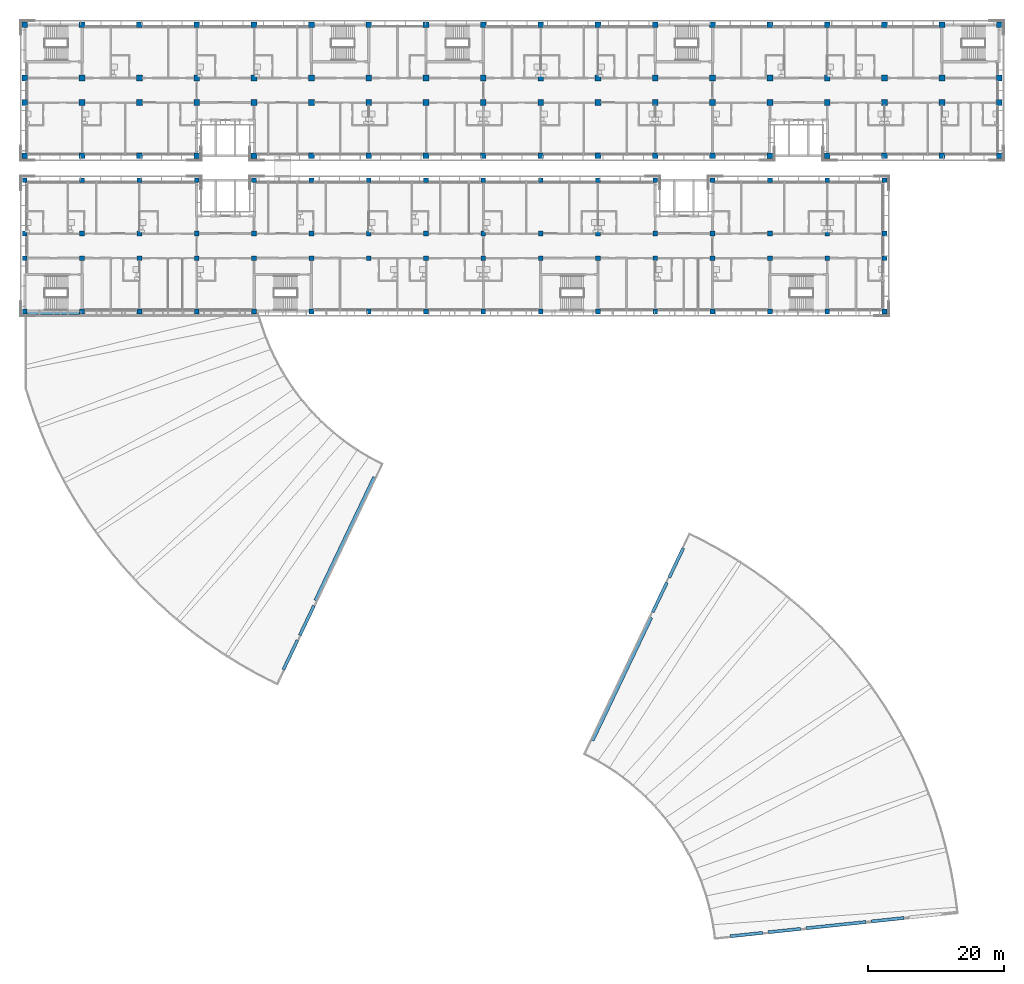
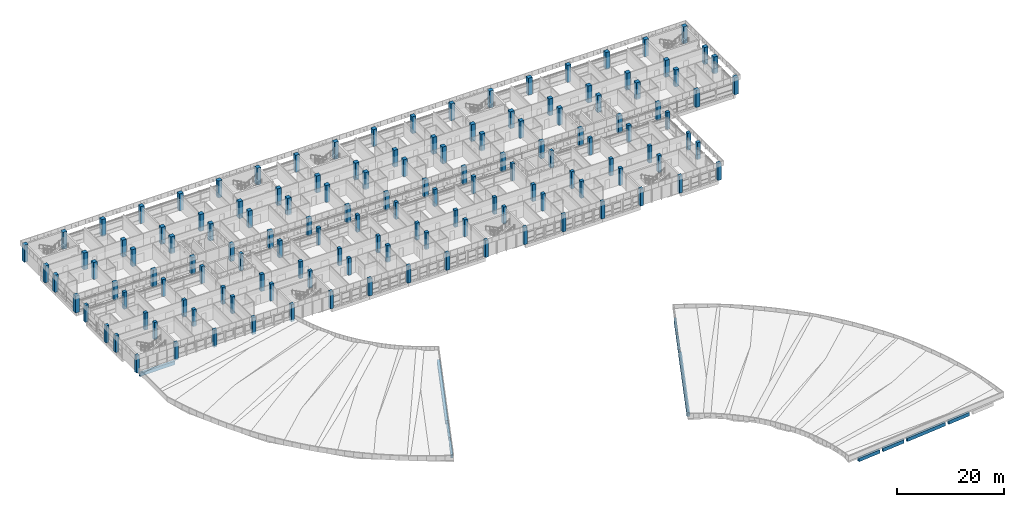
# One storey, part 1 of 74: 136 columns, 11 beams.
"""IFC4 building model written with IfcOpenShell, lengths in metres."""

from ifc_helpers import new_model, si_unit, direction, frame, origin, origin_2d, place, context, subcontext, project, spatial, rectangle, extrude, material, material_profile, profile_set, type_object, element, save


model = new_model("IFC4")

# Units and contexts
model_context = context("Model", 3, precision=1e-05, world=origin(), true_north=direction((0.0, 1.0)))
body_context = subcontext(model_context, "Body", "Model", "MODEL_VIEW")
ifc_project = project(units=[si_unit("LENGTHUNIT", "METRE"), si_unit("AREAUNIT", "SQUARE_METRE"), si_unit("VOLUMEUNIT", "CUBIC_METRE"), si_unit("PLANEANGLEUNIT", "RADIAN"), si_unit("MASSUNIT", "GRAM", prefix="KILO")], contexts=[model_context])

# Site, building, storey
site_placement = place(None, origin())
site = spatial("IfcSite", under=ifc_project, at=site_placement, CompositionType="ELEMENT")
building_placement = place(site_placement, origin())
building = spatial("IfcBuilding", under=site, at=building_placement, Name="Bougainvillea Quay General Hospital", CompositionType="ELEMENT")
storey_placement = place(building_placement, frame((0.0, 0.0, 21.0)))
storey = spatial("IfcBuildingStorey", under=building, at=storey_placement, Name="L04", CompositionType="ELEMENT", Elevation=21.0)

# Columns
ifc_material = material(Name="Concrete C40", Category="concrete")
ifc_material_profile_1 = material_profile(ifc_material, rectangle(XDim=0.699951171875, YDim=0.699951171875, at=origin_2d()))
ifc_profile_set_1 = profile_set([ifc_material_profile_1], Name="Concrete C40")
column_type_1 = type_object("IfcColumnType", Name="RC COL 700x700 C40", PredefinedType="COLUMN", material=ifc_profile_set_1)
for number, where, z_axis, x_axis, name in (
    (1, (42.0, 117.60009765625, 0.0), (0.0, 0.0, 1.0), (1.0, 0.0, 0.0), "Column C-V4-000 L04"),
    (2, (42.0, 125.39990234375, 0.0), (0.0, 0.0, 1.0), (1.0, 0.0, 0.0), "Column C-V4-001 L04"),
    (3, (42.0, 129.0, 0.0), (0.0, 0.0, 1.0), (1.0, 0.0, 0.0), "Column C-V4-002 L04"),
    (4, (42.0, 136.800048828125, 0.0), (0.0, 0.0, 1.0), (1.0, 0.0, 0.0), "Column C-V4-003 L04"),
    (5, (50.39990234375, 117.60009765625, 0.0), (0.0, 0.0, 1.0), (1.0, 0.0, 0.0), "Column C-V4-010 L04"),
    (6, (50.39990234375, 125.39990234375, 0.0), (0.0, 0.0, 1.0), (1.0, 0.0, 0.0), "Column C-V4-011 L04"),
    (7, (50.39990234375, 129.0, 0.0), (0.0, 0.0, 1.0), (1.0, 0.0, 0.0), "Column C-V4-012 L04"),
    (8, (50.39990234375, 136.800048828125, 0.0), (0.0, 0.0, 1.0), (1.0, 0.0, 0.0), "Column C-V4-013 L04"),
    (9, (58.800048828125, 117.60009765625, 0.0), (0.0, 0.0, 1.0), (1.0, 0.0, 0.0), "Column C-V4-020 L04"),
    (10, (58.800048828125, 125.39990234375, 0.0), (0.0, 0.0, 1.0), (1.0, 0.0, 0.0), "Column C-V4-021 L04"),
    (11, (58.800048828125, 129.0, 0.0), (0.0, 0.0, 1.0), (1.0, 0.0, 0.0), "Column C-V4-022 L04"),
    (12, (58.800048828125, 136.800048828125, 0.0), (0.0, 0.0, 1.0), (1.0, 0.0, 0.0), "Column C-V4-023 L04"),
    (13, (67.199951171875, 117.60009765625, 0.0), (0.0, 0.0, 1.0), (1.0, 0.0, 0.0), "Column C-V4-030 L04"),
    (14, (67.199951171875, 125.39990234375, 0.0), (0.0, 0.0, 1.0), (1.0, 0.0, 0.0), "Column C-V4-031 L04"),
    (15, (67.199951171875, 129.0, 0.0), (0.0, 0.0, 1.0), (1.0, 0.0, 0.0), "Column C-V4-032 L04"),
    (16, (67.199951171875, 136.800048828125, 0.0), (0.0, 0.0, 1.0), (1.0, 0.0, 0.0), "Column C-V4-033 L04"),
    (17, (75.60009765625, 117.60009765625, 0.0), (0.0, 0.0, 1.0), (1.0, 0.0, 0.0), "Column C-V4-040 L04"),
    (18, (75.60009765625, 125.39990234375, 0.0), (0.0, 0.0, 1.0), (1.0, 0.0, 0.0), "Column C-V4-041 L04"),
    (19, (75.60009765625, 129.0, 0.0), (0.0, 0.0, 1.0), (1.0, 0.0, 0.0), "Column C-V4-042 L04"),
    (20, (75.60009765625, 136.800048828125, 0.0), (0.0, 0.0, 1.0), (1.0, 0.0, 0.0), "Column C-V4-043 L04"),
    (21, (84.0, 117.60009765625, 0.0), (0.0, 0.0, 1.0), (1.0, 0.0, 0.0), "Column C-V4-050 L04"),
    (22, (84.0, 125.39990234375, 0.0), (0.0, 0.0, 1.0), (1.0, 0.0, 0.0), "Column C-V4-051 L04"),
    (23, (84.0, 129.0, 0.0), (0.0, 0.0, 1.0), (1.0, 0.0, 0.0), "Column C-V4-052 L04"),
    (24, (84.0, 136.800048828125, 0.0), (0.0, 0.0, 1.0), (1.0, 0.0, 0.0), "Column C-V4-053 L04"),
    (25, (92.39990234375, 117.60009765625, 0.0), (0.0, 0.0, 1.0), (1.0, 0.0, 0.0), "Column C-V4-060 L04"),
    (26, (92.39990234375, 125.39990234375, 0.0), (0.0, 0.0, 1.0), (1.0, 0.0, 0.0), "Column C-V4-061 L04"),
    (27, (92.39990234375, 129.0, 0.0), (0.0, 0.0, 1.0), (1.0, 0.0, 0.0), "Column C-V4-062 L04"),
    (28, (92.39990234375, 136.800048828125, 0.0), (0.0, 0.0, 1.0), (1.0, 0.0, 0.0), "Column C-V4-063 L04"),
    (29, (100.800048828125, 117.60009765625, 0.0), (0.0, 0.0, 1.0), (1.0, 0.0, 0.0), "Column C-V4-070 L04"),
    (30, (100.800048828125, 125.39990234375, 0.0), (0.0, 0.0, 1.0), (1.0, 0.0, 0.0), "Column C-V4-071 L04"),
    (31, (100.800048828125, 129.0, 0.0), (0.0, 0.0, 1.0), (1.0, 0.0, 0.0), "Column C-V4-072 L04"),
    (32, (100.800048828125, 136.800048828125, 0.0), (0.0, 0.0, 1.0), (1.0, 0.0, 0.0), "Column C-V4-073 L04"),
    (33, (109.199951171875, 117.60009765625, 0.0), (0.0, 0.0, 1.0), (1.0, 0.0, 0.0), "Column C-V4-080 L04"),
    (34, (109.199951171875, 125.39990234375, 0.0), (0.0, 0.0, 1.0), (1.0, 0.0, 0.0), "Column C-V4-081 L04"),
    (35, (109.199951171875, 129.0, 0.0), (0.0, 0.0, 1.0), (1.0, 0.0, 0.0), "Column C-V4-082 L04"),
    (36, (109.199951171875, 136.800048828125, 0.0), (0.0, 0.0, 1.0), (1.0, 0.0, 0.0), "Column C-V4-083 L04"),
    (37, (117.60009765625, 117.60009765625, 0.0), (0.0, 0.0, 1.0), (1.0, 0.0, 0.0), "Column C-V4-090 L04"),
    (38, (117.60009765625, 125.39990234375, 0.0), (0.0, 0.0, 1.0), (1.0, 0.0, 0.0), "Column C-V4-091 L04"),
    (39, (117.60009765625, 129.0, 0.0), (0.0, 0.0, 1.0), (1.0, 0.0, 0.0), "Column C-V4-092 L04"),
    (40, (117.60009765625, 136.800048828125, 0.0), (0.0, 0.0, 1.0), (1.0, 0.0, 0.0), "Column C-V4-093 L04"),
    (41, (126.0, 117.60009765625, 0.0), (0.0, 0.0, 1.0), (1.0, 0.0, 0.0), "Column C-V4-100 L04"),
    (42, (126.0, 125.39990234375, 0.0), (0.0, 0.0, 1.0), (1.0, 0.0, 0.0), "Column C-V4-101 L04"),
    (43, (126.0, 129.0, 0.0), (0.0, 0.0, 1.0), (1.0, 0.0, 0.0), "Column C-V4-102 L04"),
    (44, (126.0, 136.800048828125, 0.0), (0.0, 0.0, 1.0), (1.0, 0.0, 0.0), "Column C-V4-103 L04"),
    (45, (134.39990234375, 117.60009765625, 0.0), (0.0, 0.0, 1.0), (1.0, 0.0, 0.0), "Column C-V4-110 L04"),
    (46, (134.39990234375, 125.39990234375, 0.0), (0.0, 0.0, 1.0), (1.0, 0.0, 0.0), "Column C-V4-111 L04"),
    (47, (134.39990234375, 129.0, 0.0), (0.0, 0.0, 1.0), (1.0, 0.0, 0.0), "Column C-V4-112 L04"),
    (48, (134.39990234375, 136.800048828125, 0.0), (0.0, 0.0, 1.0), (1.0, 0.0, 0.0), "Column C-V4-113 L04"),
    (49, (142.800048828125, 117.60009765625, 0.0), (0.0, 0.0, 1.0), (1.0, 0.0, 0.0), "Column C-V4-120 L04"),
    (50, (142.800048828125, 125.39990234375, 0.0), (0.0, 0.0, 1.0), (1.0, 0.0, 0.0), "Column C-V4-121 L04"),
    (51, (142.800048828125, 129.0, 0.0), (0.0, 0.0, 1.0), (1.0, 0.0, 0.0), "Column C-V4-122 L04"),
    (52, (142.800048828125, 136.800048828125, 0.0), (0.0, 0.0, 1.0), (1.0, 0.0, 0.0), "Column C-V4-123 L04"),
    (53, (151.199951171875, 117.60009765625, 0.0), (0.0, 0.0, 1.0), (1.0, 0.0, 0.0), "Column C-V4-130 L04"),
    (54, (151.199951171875, 125.39990234375, 0.0), (0.0, 0.0, 1.0), (1.0, 0.0, 0.0), "Column C-V4-131 L04"),
    (55, (151.199951171875, 129.0, 0.0), (0.0, 0.0, 1.0), (1.0, 0.0, 0.0), "Column C-V4-132 L04"),
    (56, (151.199951171875, 136.800048828125, 0.0), (0.0, 0.0, 1.0), (1.0, 0.0, 0.0), "Column C-V4-133 L04"),
    (57, (159.60009765625, 117.60009765625, 0.0), (0.0, 0.0, 1.0), (1.0, 0.0, 0.0), "Column C-V4-140 L04"),
    (58, (159.60009765625, 125.39990234375, 0.0), (0.0, 0.0, 1.0), (1.0, 0.0, 0.0), "Column C-V4-141 L04"),
    (59, (159.60009765625, 129.0, 0.0), (0.0, 0.0, 1.0), (1.0, 0.0, 0.0), "Column C-V4-142 L04"),
    (60, (159.60009765625, 136.800048828125, 0.0), (0.0, 0.0, 1.0), (1.0, 0.0, 0.0), "Column C-V4-143 L04"),
    (61, (168.0, 117.60009765625, 0.0), (0.0, 0.0, 1.0), (1.0, 0.0, 0.0), "Column C-V4-150 L04"),
    (62, (168.0, 125.39990234375, 0.0), (0.0, 0.0, 1.0), (1.0, 0.0, 0.0), "Column C-V4-151 L04"),
    (63, (168.0, 129.0, 0.0), (0.0, 0.0, 1.0), (1.0, 0.0, 0.0), "Column C-V4-152 L04"),
    (64, (168.0, 136.800048828125, 0.0), (0.0, 0.0, 1.0), (1.0, 0.0, 0.0), "Column C-V4-153 L04"),
):
    element("IfcColumn", number, at=place(storey_placement, frame(where, z_axis=z_axis, x_axis=x_axis)), inside=storey, type_object=column_type_1, Name=name, PredefinedType="COLUMN", context=body_context, shape_type="SweptSolid", body=[
        extrude(rectangle(XDim=0.699951171875, YDim=0.699951171875, at=origin_2d()), origin(), (0.0, 0.0, 1.0), 3.89990234375),
    ])
ifc_material_profile_2 = material_profile(ifc_material, rectangle(XDim=0.85009765625, YDim=0.85009765625, at=origin_2d()))
ifc_profile_set_2 = profile_set([ifc_material_profile_2], Name="Concrete C40")
column_type_2 = type_object("IfcColumnType", Name="RC COL 850x850 C40", PredefinedType="COLUMN", material=ifc_profile_set_2)
for number, where, z_axis, x_axis, name in (
    (65, (42.0, 140.39990234375, 0.0), (0.0, 0.0, 1.0), (1.0, 0.0, 0.0), "Column C-V4-004 L04"),
    (66, (42.0, 148.199951171875, 0.0), (0.0, 0.0, 1.0), (1.0, 0.0, 0.0), "Column C-V4-005 L04"),
    (67, (42.0, 151.800048828125, 0.0), (0.0, 0.0, 1.0), (1.0, 0.0, 0.0), "Column C-V4-006 L04"),
    (68, (42.0, 159.60009765625, 0.0), (0.0, 0.0, 1.0), (1.0, 0.0, 0.0), "Column C-V4-007 L04"),
    (69, (50.39990234375, 140.39990234375, 0.0), (0.0, 0.0, 1.0), (1.0, 0.0, 0.0), "Column C-V4-014 L04"),
    (70, (50.39990234375, 148.199951171875, 0.0), (0.0, 0.0, 1.0), (1.0, 0.0, 0.0), "Column C-V4-015 L04"),
    (71, (50.39990234375, 151.800048828125, 0.0), (0.0, 0.0, 1.0), (1.0, 0.0, 0.0), "Column C-V4-016 L04"),
    (72, (50.39990234375, 159.60009765625, 0.0), (0.0, 0.0, 1.0), (1.0, 0.0, 0.0), "Column C-V4-017 L04"),
    (73, (58.800048828125, 140.39990234375, 0.0), (0.0, 0.0, 1.0), (1.0, 0.0, 0.0), "Column C-V4-024 L04"),
    (74, (58.800048828125, 148.199951171875, 0.0), (0.0, 0.0, 1.0), (1.0, 0.0, 0.0), "Column C-V4-025 L04"),
    (75, (58.800048828125, 151.800048828125, 0.0), (0.0, 0.0, 1.0), (1.0, 0.0, 0.0), "Column C-V4-026 L04"),
    (76, (58.800048828125, 159.60009765625, 0.0), (0.0, 0.0, 1.0), (1.0, 0.0, 0.0), "Column C-V4-027 L04"),
    (77, (67.199951171875, 140.39990234375, 0.0), (0.0, 0.0, 1.0), (1.0, 0.0, 0.0), "Column C-V4-034 L04"),
    (78, (67.199951171875, 148.199951171875, 0.0), (0.0, 0.0, 1.0), (1.0, 0.0, 0.0), "Column C-V4-035 L04"),
    (79, (67.199951171875, 151.800048828125, 0.0), (0.0, 0.0, 1.0), (1.0, 0.0, 0.0), "Column C-V4-036 L04"),
    (80, (67.199951171875, 159.60009765625, 0.0), (0.0, 0.0, 1.0), (1.0, 0.0, 0.0), "Column C-V4-037 L04"),
    (81, (75.60009765625, 140.39990234375, 0.0), (0.0, 0.0, 1.0), (1.0, 0.0, 0.0), "Column C-V4-044 L04"),
    (82, (75.60009765625, 148.199951171875, 0.0), (0.0, 0.0, 1.0), (1.0, 0.0, 0.0), "Column C-V4-045 L04"),
    (83, (75.60009765625, 151.800048828125, 0.0), (0.0, 0.0, 1.0), (1.0, 0.0, 0.0), "Column C-V4-046 L04"),
    (84, (75.60009765625, 159.60009765625, 0.0), (0.0, 0.0, 1.0), (1.0, 0.0, 0.0), "Column C-V4-047 L04"),
    (85, (84.0, 140.39990234375, 0.0), (0.0, 0.0, 1.0), (1.0, 0.0, 0.0), "Column C-V4-054 L04"),
    (86, (84.0, 148.199951171875, 0.0), (0.0, 0.0, 1.0), (1.0, 0.0, 0.0), "Column C-V4-055 L04"),
    (87, (84.0, 151.800048828125, 0.0), (0.0, 0.0, 1.0), (1.0, 0.0, 0.0), "Column C-V4-056 L04"),
    (88, (84.0, 159.60009765625, 0.0), (0.0, 0.0, 1.0), (1.0, 0.0, 0.0), "Column C-V4-057 L04"),
    (89, (92.39990234375, 140.39990234375, 0.0), (0.0, 0.0, 1.0), (1.0, 0.0, 0.0), "Column C-V4-064 L04"),
    (90, (92.39990234375, 148.199951171875, 0.0), (0.0, 0.0, 1.0), (1.0, 0.0, 0.0), "Column C-V4-065 L04"),
    (91, (92.39990234375, 151.800048828125, 0.0), (0.0, 0.0, 1.0), (1.0, 0.0, 0.0), "Column C-V4-066 L04"),
    (92, (92.39990234375, 159.60009765625, 0.0), (0.0, 0.0, 1.0), (1.0, 0.0, 0.0), "Column C-V4-067 L04"),
    (93, (100.800048828125, 140.39990234375, 0.0), (0.0, 0.0, 1.0), (1.0, 0.0, 0.0), "Column C-V4-074 L04"),
    (94, (100.800048828125, 148.199951171875, 0.0), (0.0, 0.0, 1.0), (1.0, 0.0, 0.0), "Column C-V4-075 L04"),
    (95, (100.800048828125, 151.800048828125, 0.0), (0.0, 0.0, 1.0), (1.0, 0.0, 0.0), "Column C-V4-076 L04"),
    (96, (100.800048828125, 159.60009765625, 0.0), (0.0, 0.0, 1.0), (1.0, 0.0, 0.0), "Column C-V4-077 L04"),
    (97, (109.199951171875, 140.39990234375, 0.0), (0.0, 0.0, 1.0), (1.0, 0.0, 0.0), "Column C-V4-084 L04"),
    (98, (109.199951171875, 148.199951171875, 0.0), (0.0, 0.0, 1.0), (1.0, 0.0, 0.0), "Column C-V4-085 L04"),
    (99, (109.199951171875, 151.800048828125, 0.0), (0.0, 0.0, 1.0), (1.0, 0.0, 0.0), "Column C-V4-086 L04"),
    (100, (109.199951171875, 159.60009765625, 0.0), (0.0, 0.0, 1.0), (1.0, 0.0, 0.0), "Column C-V4-087 L04"),
    (101, (117.60009765625, 140.39990234375, 0.0), (0.0, 0.0, 1.0), (1.0, 0.0, 0.0), "Column C-V4-094 L04"),
    (102, (117.60009765625, 148.199951171875, 0.0), (0.0, 0.0, 1.0), (1.0, 0.0, 0.0), "Column C-V4-095 L04"),
    (103, (117.60009765625, 151.800048828125, 0.0), (0.0, 0.0, 1.0), (1.0, 0.0, 0.0), "Column C-V4-096 L04"),
    (104, (117.60009765625, 159.60009765625, 0.0), (0.0, 0.0, 1.0), (1.0, 0.0, 0.0), "Column C-V4-097 L04"),
    (105, (126.0, 140.39990234375, 0.0), (0.0, 0.0, 1.0), (1.0, 0.0, 0.0), "Column C-V4-104 L04"),
    (106, (126.0, 148.199951171875, 0.0), (0.0, 0.0, 1.0), (1.0, 0.0, 0.0), "Column C-V4-105 L04"),
    (107, (126.0, 151.800048828125, 0.0), (0.0, 0.0, 1.0), (1.0, 0.0, 0.0), "Column C-V4-106 L04"),
    (108, (126.0, 159.60009765625, 0.0), (0.0, 0.0, 1.0), (1.0, 0.0, 0.0), "Column C-V4-107 L04"),
    (109, (134.39990234375, 140.39990234375, 0.0), (0.0, 0.0, 1.0), (1.0, 0.0, 0.0), "Column C-V4-114 L04"),
    (110, (134.39990234375, 148.199951171875, 0.0), (0.0, 0.0, 1.0), (1.0, 0.0, 0.0), "Column C-V4-115 L04"),
    (111, (134.39990234375, 151.800048828125, 0.0), (0.0, 0.0, 1.0), (1.0, 0.0, 0.0), "Column C-V4-116 L04"),
    (112, (134.39990234375, 159.60009765625, 0.0), (0.0, 0.0, 1.0), (1.0, 0.0, 0.0), "Column C-V4-117 L04"),
    (113, (142.800048828125, 140.39990234375, 0.0), (0.0, 0.0, 1.0), (1.0, 0.0, 0.0), "Column C-V4-124 L04"),
    (114, (142.800048828125, 148.199951171875, 0.0), (0.0, 0.0, 1.0), (1.0, 0.0, 0.0), "Column C-V4-125 L04"),
    (115, (142.800048828125, 151.800048828125, 0.0), (0.0, 0.0, 1.0), (1.0, 0.0, 0.0), "Column C-V4-126 L04"),
    (116, (142.800048828125, 159.60009765625, 0.0), (0.0, 0.0, 1.0), (1.0, 0.0, 0.0), "Column C-V4-127 L04"),
    (117, (151.199951171875, 140.39990234375, 0.0), (0.0, 0.0, 1.0), (1.0, 0.0, 0.0), "Column C-V4-134 L04"),
    (118, (151.199951171875, 148.199951171875, 0.0), (0.0, 0.0, 1.0), (1.0, 0.0, 0.0), "Column C-V4-135 L04"),
    (119, (151.199951171875, 151.800048828125, 0.0), (0.0, 0.0, 1.0), (1.0, 0.0, 0.0), "Column C-V4-136 L04"),
    (120, (151.199951171875, 159.60009765625, 0.0), (0.0, 0.0, 1.0), (1.0, 0.0, 0.0), "Column C-V4-137 L04"),
    (121, (159.60009765625, 140.39990234375, 0.0), (0.0, 0.0, 1.0), (1.0, 0.0, 0.0), "Column C-V4-144 L04"),
    (122, (159.60009765625, 148.199951171875, 0.0), (0.0, 0.0, 1.0), (1.0, 0.0, 0.0), "Column C-V4-145 L04"),
    (123, (159.60009765625, 151.800048828125, 0.0), (0.0, 0.0, 1.0), (1.0, 0.0, 0.0), "Column C-V4-146 L04"),
    (124, (159.60009765625, 159.60009765625, 0.0), (0.0, 0.0, 1.0), (1.0, 0.0, 0.0), "Column C-V4-147 L04"),
    (125, (168.0, 140.39990234375, 0.0), (0.0, 0.0, 1.0), (1.0, 0.0, 0.0), "Column C-V4-154 L04"),
    (126, (168.0, 148.199951171875, 0.0), (0.0, 0.0, 1.0), (1.0, 0.0, 0.0), "Column C-V4-155 L04"),
    (127, (168.0, 151.800048828125, 0.0), (0.0, 0.0, 1.0), (1.0, 0.0, 0.0), "Column C-V4-156 L04"),
    (128, (168.0, 159.60009765625, 0.0), (0.0, 0.0, 1.0), (1.0, 0.0, 0.0), "Column C-V4-157 L04"),
    (129, (176.39990234375, 140.39990234375, 0.0), (0.0, 0.0, 1.0), (1.0, 0.0, 0.0), "Column C-V4-164 L04"),
    (130, (176.39990234375, 148.199951171875, 0.0), (0.0, 0.0, 1.0), (1.0, 0.0, 0.0), "Column C-V4-165 L04"),
    (131, (176.39990234375, 151.800048828125, 0.0), (0.0, 0.0, 1.0), (1.0, 0.0, 0.0), "Column C-V4-166 L04"),
    (132, (176.39990234375, 159.60009765625, 0.0), (0.0, 0.0, 1.0), (1.0, 0.0, 0.0), "Column C-V4-167 L04"),
    (133, (184.800048828125, 140.39990234375, 0.0), (0.0, 0.0, 1.0), (1.0, 0.0, 0.0), "Column C-V4-174 L04"),
    (134, (184.800048828125, 148.199951171875, 0.0), (0.0, 0.0, 1.0), (1.0, 0.0, 0.0), "Column C-V4-175 L04"),
    (135, (184.800048828125, 151.800048828125, 0.0), (0.0, 0.0, 1.0), (1.0, 0.0, 0.0), "Column C-V4-176 L04"),
    (136, (184.800048828125, 159.60009765625, 0.0), (0.0, 0.0, 1.0), (1.0, 0.0, 0.0), "Column C-V4-177 L04"),
):
    element("IfcColumn", number, at=place(storey_placement, frame(where, z_axis=z_axis, x_axis=x_axis)), inside=storey, type_object=column_type_2, Name=name, PredefinedType="COLUMN", context=body_context, shape_type="SweptSolid", body=[
        extrude(rectangle(XDim=0.85009765625, YDim=0.85009765625, at=origin_2d()), origin(), (0.0, 0.0, 1.0), 3.89990234375),
    ])

# Beams
ifc_material_profile_3 = material_profile(ifc_material, rectangle(XDim=0.449951171875, YDim=0.800048828125, at=origin_2d()))
ifc_profile_set_3 = profile_set([ifc_material_profile_3], Name="Concrete C40")
beam_type_1 = type_object("IfcBeamType", Name="RC BEAM 450x800 C40", PredefinedType="BEAM", material=ifc_profile_set_3)
beam_1_placement = place(storey_placement, frame((42.39990234375, 117.375, -0.55810546875), z_axis=(0.999914123143, 0.0, 0.01310520277), x_axis=(0.0, 1.0, 0.0)))
element("IfcBeam", 137, at=beam_1_placement, inside=storey, type_object=beam_type_1, Name="Edge beam L04", PredefinedType="BEAM", context=body_context, shape_type="SweptSolid", body=[
    extrude(rectangle(XDim=0.449951171875, YDim=0.800048828125, at=origin_2d()), origin(), (0.0, 0.0, 1.0), 7.600830078125),
])
beam_2_placement = place(storey_placement, frame((84.37158203125, 74.46875, -0.7373046875), z_axis=(-0.430533728427, -0.902574489273, 0.0), x_axis=(0.902574489273, -0.430533728427, 0.0)))
element("IfcBeam", 138, at=beam_2_placement, inside=storey, type_object=beam_type_1, Name="Edge beam L04", PredefinedType="BEAM", context=body_context, shape_type="SweptSolid", body=[
    extrude(rectangle(XDim=0.449951171875, YDim=0.800048828125, at=origin_2d()), origin(), (0.0, 0.0, 1.0), 4.799560546875),
])
for number, where, z_axis, x_axis, name in (
    (139, (81.9609375, 69.414794921875, -0.7373046875), (-0.430537538796, -0.902572671693, 0.0), (0.902572671693, -0.430537538796, 0.0), "Edge beam L04"),
    (140, (170.837158203125, 28.70458984375, -0.742919921875), (-0.994518757329, -0.104557709402, -0.000355984419), (0.104557716027, -0.994518820344, 0.0), "Edge beam L04"),
):
    element("IfcBeam", number, at=place(storey_placement, frame(where, z_axis=z_axis, x_axis=x_axis)), inside=storey, type_object=beam_type_1, Name=name, PredefinedType="BEAM", context=body_context, shape_type="SweptSolid", body=[
        extrude(rectangle(XDim=0.449951171875, YDim=0.800048828125, at=origin_2d()), origin(), (0.0, 0.0, 1.0), 4.80078125),
    ])
beam_3_placement = place(storey_placement, frame((165.26708984375, 28.119140625, -0.744873046875), z_axis=(-0.994520598453, -0.104540356385, -0.000305186815), x_axis=(0.104540361253, -0.994520644768, 0.0)))
element("IfcBeam", 141, at=beam_3_placement, inside=storey, type_object=beam_type_1, Name="Edge beam L04", PredefinedType="BEAM", context=body_context, shape_type="SweptSolid", body=[
    extrude(rectangle(XDim=0.449951171875, YDim=0.800048828125, at=origin_2d()), origin(), (0.0, 0.0, 1.0), 8.799560546875),
])
beam_4_placement = place(storey_placement, frame((155.719970703125, 27.11572265625, -0.747802734375), z_axis=(-0.994521838518, -0.104528558621, -0.000305192872), x_axis=(0.104528563489, -0.994521884835, 0.0)))
element("IfcBeam", 142, at=beam_4_placement, inside=storey, type_object=beam_type_1, Name="Edge beam L04", PredefinedType="BEAM", context=body_context, shape_type="SweptSolid", body=[
    extrude(rectangle(XDim=0.449951171875, YDim=0.800048828125, at=origin_2d()), origin(), (0.0, 0.0, 1.0), 4.7998046875),
])
for number, where, z_axis, x_axis, name in (
    (143, (150.15087890625, 26.5302734375, -0.74951171875), (-0.994520957171, -0.104533812439, 0.000864756599), (0.104533851524, -0.994521329025, 0.0), "Edge beam L04"),
    (144, (134.0283203125, 73.53125, -0.7373046875), (0.430533728427, 0.902574489273, 0.0), (-0.902574489273, 0.430533728427, 0.0), "Edge beam L04"),
):
    element("IfcBeam", number, at=place(storey_placement, frame(where, z_axis=z_axis, x_axis=x_axis)), inside=storey, type_object=beam_type_1, Name=name, PredefinedType="BEAM", context=body_context, shape_type="SweptSolid", body=[
        extrude(rectangle(XDim=0.449951171875, YDim=0.800048828125, at=origin_2d()), origin(), (0.0, 0.0, 1.0), 4.799560546875),
    ])
beam_5_placement = place(storey_placement, frame((136.439208984375, 78.585205078125, -0.7373046875), z_axis=(0.430496109135, 0.902592432951, 0.0), x_axis=(-0.902592432951, 0.430496109135, 0.0)))
element("IfcBeam", 145, at=beam_5_placement, inside=storey, type_object=beam_type_1, Name="Edge beam L04", PredefinedType="BEAM", context=body_context, shape_type="SweptSolid", body=[
    extrude(rectangle(XDim=0.449951171875, YDim=0.800048828125, at=origin_2d()), origin(), (0.0, 0.0, 1.0), 4.800537109375),
])
ifc_material_profile_4 = material_profile(ifc_material, rectangle(XDim=0.60009765625, YDim=0.89990234375, at=origin_2d()))
ifc_profile_set_4 = profile_set([ifc_material_profile_4], Name="Concrete C40")
beam_type_2 = type_object("IfcBeamType", Name="RC BEAM 600x900 C40", PredefinedType="BEAM", material=ifc_profile_set_4)
for number, where, z_axis, x_axis, name in (
    (146, (93.259033203125, 93.275146484375, -0.783203125), (-0.430520565184, -0.902580768105, 0.0), (0.902580768105, -0.430520565184, 0.0), "Edge beam L04"),
    (147, (125.140869140625, 54.724853515625, -0.783203125), (0.430530509376, 0.902576024774, 0.0), (-0.902576024774, 0.430530509376, 0.0), "Edge beam L04"),
):
    element("IfcBeam", number, at=place(storey_placement, frame(where, z_axis=z_axis, x_axis=x_axis)), inside=storey, type_object=beam_type_2, Name=name, PredefinedType="BEAM", context=body_context, shape_type="SweptSolid", body=[
        extrude(rectangle(XDim=0.60009765625, YDim=0.89990234375, at=origin_2d()), origin(), (0.0, 0.0, 1.0), 20.00048828125),
    ])

save(model, "model.ifc")
